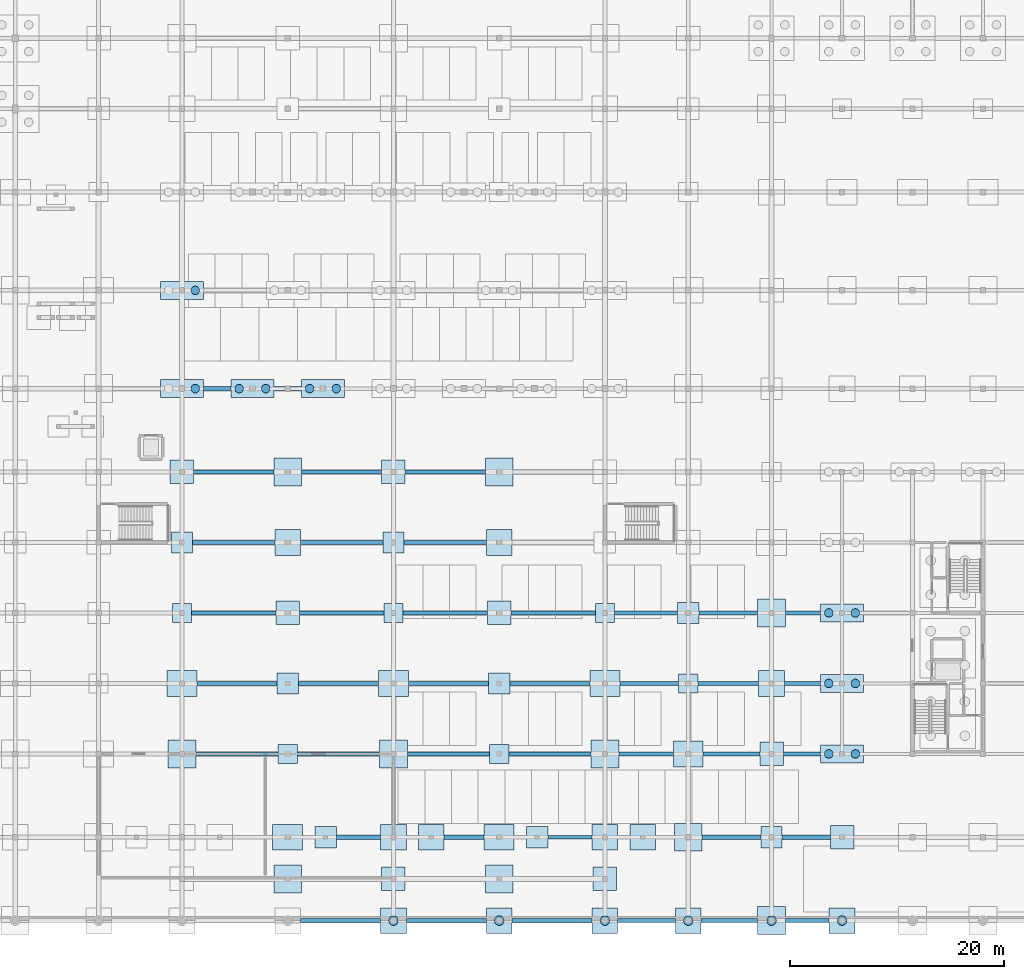
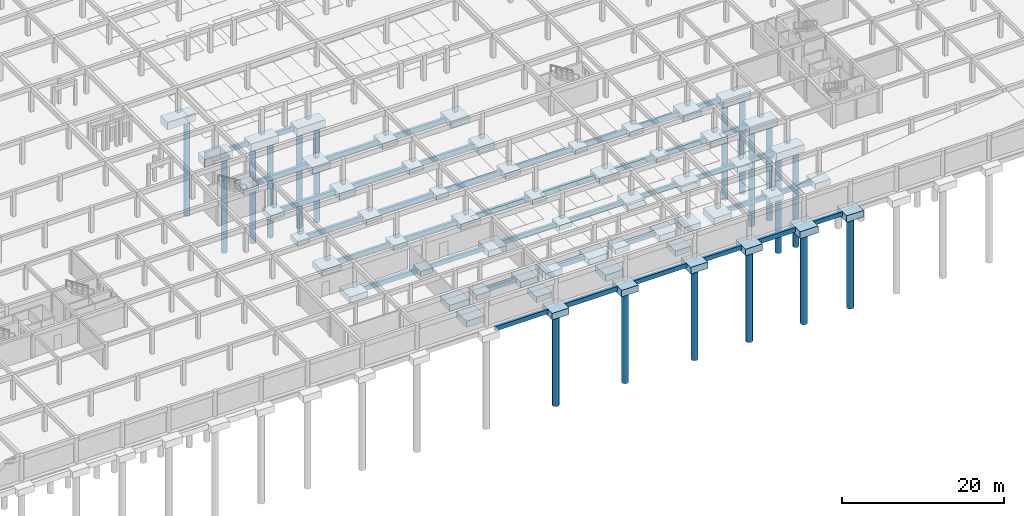
# One storey, part 3 of 37: 97 footings, 18 piles.
"""IFC4 building model written with IfcOpenShell, lengths in metres."""

import ifcopenshell
import ifcopenshell.guid

model = None  # the IFC model being written
_history = None  # IfcOwnerHistory: only IFC2X3 demands one
_inside = {}  # id of a spatial element -> (the spatial element, [elements in it])
_under = {}  # id of a project, library or spatial element -> (it, [spatial elements below it])
_declared = {}  # id of a project -> (the project, [libraries it declares])
_typed = {}  # id of a type object -> (the type object, [elements of that type])
_made_of = {}  # id of a material, layer set ... -> (it, [elements and type objects made of it])


def new_model(schema):
    """Start an empty IFC model of exactly this schema.

    Asked for "IFC4X3", IfcOpenShell would pick the latest addendum, in which some entities
    have other attributes; the version numbers below select the first issue.
    IFC2X3 requires an IfcOwnerHistory on every rooted entity: one is made here for all.
    """
    global model, _history
    if schema == "IFC4X3":
        model = ifcopenshell.file(schema_version=(4, 3, 0, 0))
    else:
        model = ifcopenshell.file(schema=schema)
    _inside.clear()
    _under.clear()
    _declared.clear()
    _typed.clear()
    _made_of.clear()
    _history = None
    if model.schema == "IFC2X3":
        org = make("IfcOrganization", Name="unknown")
        user = make(
            "IfcPersonAndOrganization",
            ThePerson=make("IfcPerson", FamilyName="unknown"),
            TheOrganization=org,
        )
        app = make(
            "IfcApplication",
            ApplicationDeveloper=org,
            Version="unknown",
            ApplicationFullName="unknown",
            ApplicationIdentifier="unknown",
        )
        _history = make(
            "IfcOwnerHistory",
            OwningUser=user,
            OwningApplication=app,
            ChangeAction="ADDED",
            CreationDate=0,
        )
    return model


def make(cls, **values):
    """One entity of the class cls with the attributes given. An attribute that is None is left unset."""
    return model.create_entity(
        cls, **{name: value for name, value in values.items() if value is not None}
    )


def rooted(cls, **values):
    """An entity with a GlobalId (a new one), such as an element, a storey or a relation."""
    return make(cls, GlobalId=ifcopenshell.guid.new(), OwnerHistory=_history, **values)


def si_unit(unit_type, name, prefix=None):
    """IfcSIUnit, for example si_unit("LENGTHUNIT", "METRE", prefix="MILLI")."""
    return make("IfcSIUnit", UnitType=unit_type, Prefix=prefix, Name=name)


def assignment(units):
    """IfcUnitAssignment: the units of a project."""
    return None if units is None else make("IfcUnitAssignment", Units=units)


def point(xyz):
    """IfcCartesianPoint."""
    return None if xyz is None else make("IfcCartesianPoint", Coordinates=xyz)


def direction(xyz):
    """IfcDirection."""
    return None if xyz is None else make("IfcDirection", DirectionRatios=xyz)


def frame(location, z_axis=None, x_axis=None):
    """IfcAxis2Placement3D, a coordinate frame: its origin and axes. An axis left out is left unset."""
    return make(
        "IfcAxis2Placement3D",
        Location=point(location),
        Axis=direction(z_axis),
        RefDirection=direction(x_axis),
    )


def frame_2d(location, x_axis=None):
    """IfcAxis2Placement2D, a coordinate frame in the plane: its origin and x axis."""
    return make(
        "IfcAxis2Placement2D", Location=point(location), RefDirection=direction(x_axis)
    )


def origin():
    """The frame at (0, 0, 0) with its axes left unset."""
    return frame((0.0, 0.0, 0.0))


def origin_2d():
    """The frame at (0, 0) in the plane with its x axis left unset."""
    return frame_2d((0.0, 0.0))


def place(relative_to, where):
    """IfcLocalPlacement: puts the frame where relative to a parent placement (None: the world)."""
    return make(
        "IfcLocalPlacement", PlacementRelTo=relative_to, RelativePlacement=where
    )


def context(
    kind, dimensions, precision=None, world=None, true_north=None, identifier=None
):
    """IfcGeometricRepresentationContext, for example the 3D "Model" context."""
    return make(
        "IfcGeometricRepresentationContext",
        ContextIdentifier=identifier,
        ContextType=kind,
        CoordinateSpaceDimension=dimensions,
        Precision=precision,
        WorldCoordinateSystem=world,
        TrueNorth=true_north,
    )


def subcontext(parent, identifier, kind, view, scale=None):
    """IfcGeometricRepresentationSubContext, for example "Body" below "Model"."""
    return make(
        "IfcGeometricRepresentationSubContext",
        ContextIdentifier=identifier,
        ContextType=kind,
        ParentContext=parent,
        TargetScale=scale,
        TargetView=view,
    )


def project(units=None, contexts=None):
    """IfcProject with its units and contexts."""
    return rooted(
        "IfcProject",
        Name="project",
        RepresentationContexts=contexts,
        UnitsInContext=assignment(units),
    )


def spatial(cls, under=None, at=None, **own):
    """A site, building, storey or space (cls), placed at a placement, below another one or the project."""
    s = rooted(cls, ObjectPlacement=at, **own)
    if under is not None:
        _under.setdefault(under.id(), (under, []))[1].append(s)
    return s


def profile(cls, at=None, kind="AREA", **sizes):
    """A parametric profile (cls). Its sizes go by their IFC names, for example OverallWidth=200.0."""
    return make(cls, ProfileType=kind, Position=at, **sizes)


def rectangle(**sizes):
    """IfcRectangleProfileDef."""
    return profile("IfcRectangleProfileDef", **sizes)


def circle(**sizes):
    """IfcCircleProfileDef."""
    return profile("IfcCircleProfileDef", **sizes)


def extrude(swept, where, along, depth):
    """IfcExtrudedAreaSolid: the profile swept, set in the frame where, extruded along a direction by depth."""
    return make(
        "IfcExtrudedAreaSolid",
        SweptArea=swept,
        Position=where,
        ExtrudedDirection=direction(along),
        Depth=depth,
    )


def shape(context_of_items, identifier, shape_type, items):
    """IfcShapeRepresentation: the items that make up one representation, for example the "Body"."""
    return make(
        "IfcShapeRepresentation",
        ContextOfItems=context_of_items,
        RepresentationIdentifier=identifier,
        RepresentationType=shape_type,
        Items=items,
    )


def material(Name=None, Category=None):
    """IfcMaterial."""
    return make("IfcMaterial", Name=Name, Category=Category)


def material_profile(
    of_material, cross_section, Name=None, Category=None, Priority=None
):
    """IfcMaterialProfile: a cross section and its material."""
    return make(
        "IfcMaterialProfile",
        Name=Name,
        Material=of_material,
        Profile=cross_section,
        Priority=Priority,
        Category=Category,
    )


def profile_set(profiles, Name=None, composite=None):
    """IfcMaterialProfileSet."""
    return make(
        "IfcMaterialProfileSet",
        Name=Name,
        MaterialProfiles=profiles,
        CompositeProfile=composite,
    )


def made_of(thing, what):
    """Note that an element or type object is made of a material, layer set ...; save() writes the relation."""
    if what is not None:
        _made_of.setdefault(what.id(), (what, []))[1].append(thing)
    return thing


def type_object(cls, material=None, **own):
    """A type object (cls), such as IfcWallType, which elements share."""
    return made_of(rooted(cls, **own), material)


def element(
    cls,
    number,
    at=None,
    inside=None,
    cuts=None,
    type_object=None,
    material=None,
    context=None,
    identifier="Body",
    shape_type=None,
    held_by="IfcProductDefinitionShape",
    body=None,
    shapes=None,
    **own,
):
    """One element of the class cls, such as IfcWall. Its Tag is "e" and its number.

    at: its placement. inside: the storey or other place that contains it. cuts: it is an
    opening in that element (IfcRelVoidsElement). A single representation is given by context,
    identifier, shape_type and body (its items); several are given by shapes. held_by: the class
    of the entity that holds the representations. save() writes the other relations.
    """
    e = rooted(cls, Tag="e%d" % number, ObjectPlacement=at, **own)
    if body is not None:
        shapes = [shape(context, identifier, shape_type, body)]
    if shapes is not None:
        e.Representation = make(held_by, Representations=shapes)
    if inside is not None:
        _inside.setdefault(inside.id(), (inside, []))[1].append(e)
    if cuts is not None:
        rooted(
            "IfcRelVoidsElement", RelatingBuildingElement=cuts, RelatedOpeningElement=e
        )
    if type_object is not None:
        _typed.setdefault(type_object.id(), (type_object, []))[1].append(e)
    return made_of(e, material)


def aggregate(whole, parts):
    """IfcRelAggregates: a whole, such as a stair, and the parts it consists of."""
    return rooted("IfcRelAggregates", RelatingObject=whole, RelatedObjects=parts)


def save(model, path):
    """Write the relations noted so far, then the file.

    IfcRelAggregates (storeys below a building ...), IfcRelContainedInSpatialStructure (elements
    in a storey), IfcRelDefinesByType, IfcRelAssociatesMaterial and IfcRelDeclares: one each for
    every whole, place, type object, material and project.
    """
    for whole, parts in _under.values():
        aggregate(whole, parts)
    for where, things in _inside.values():
        rooted(
            "IfcRelContainedInSpatialStructure",
            RelatedElements=things,
            RelatingStructure=where,
        )
    for kind, things in _typed.values():
        rooted("IfcRelDefinesByType", RelatedObjects=things, RelatingType=kind)
    for what, things in _made_of.values():
        rooted("IfcRelAssociatesMaterial", RelatedObjects=things, RelatingMaterial=what)
    for by, libraries in _declared.values():
        rooted("IfcRelDeclares", RelatingContext=by, RelatedDefinitions=libraries)
    model.write(path)


model = new_model("IFC4")

# Units and contexts
model_context = context("Model", 3, precision=1e-05, world=origin(), true_north=direction((0.0, 1.0)))
body_context = subcontext(model_context, "Body", "Model", "MODEL_VIEW")
ifc_project = project(units=[si_unit("LENGTHUNIT", "METRE"), si_unit("AREAUNIT", "SQUARE_METRE"), si_unit("VOLUMEUNIT", "CUBIC_METRE"), si_unit("PLANEANGLEUNIT", "RADIAN"), si_unit("MASSUNIT", "GRAM", prefix="KILO")], contexts=[model_context])

# Site, building, storey
site_placement = place(None, origin())
site = spatial("IfcSite", under=ifc_project, at=site_placement, CompositionType="ELEMENT")
building_placement = place(site_placement, origin())
building = spatial("IfcBuilding", under=site, at=building_placement, Name="Kernevlak Ridge Housing Community", CompositionType="ELEMENT")
storey_placement = place(building_placement, frame((0.0, 0.0, -3.800048828125)))
storey = spatial("IfcBuildingStorey", under=building, at=storey_placement, Name="B1", CompositionType="ELEMENT", Elevation=-3.800048828125)

# Piles
ifc_material = material(Name="Concrete C35/45", Category="concrete")
ifc_material_profile_1 = material_profile(ifc_material, circle(Radius=0.39990234375, at=origin_2d()), Name="BORED PILE 800")
ifc_profile_set_1 = profile_set([ifc_material_profile_1], Name="Concrete C35/45")
pile_type_1 = type_object("IfcPileType", Name="BP-01", PredefinedType="BORED", material=ifc_profile_set_1)
for number, where, z_axis, x_axis, name in (
    (1, (65.449951171875, 49.800048828125, -1.5), (0.0, 0.0, -1.0), (1.0, 0.0, 0.0), "Bored pile BP-01 PILE-0172"),
    (2, (65.449951171875, 59.0, -1.5), (0.0, 0.0, -1.0), (1.0, 0.0, 0.0), "Bored pile BP-01 PILE-0174"),
    (3, (69.550048828125, 49.800048828125, -1.5), (0.0, 0.0, -1.0), (1.0, 0.0, 0.0), "Bored pile BP-01 PILE-0178"),
    (4, (72.050048828125, 49.800048828125, -1.5), (0.0, 0.0, -1.0), (1.0, 0.0, 0.0), "Bored pile BP-01 PILE-0179"),
    (5, (76.14990234375, 49.800048828125, -1.5), (0.0, 0.0, -1.0), (1.0, 0.0, 0.0), "Bored pile BP-01 PILE-0186"),
    (6, (78.64990234375, 49.800048828125, -1.5), (0.0, 0.0, -1.0), (1.0, 0.0, 0.0), "Bored pile BP-01 PILE-0187"),
    (7, (124.75, 15.60009765625, -1.5), (0.0, 0.0, -1.0), (1.0, 0.0, 0.0), "Bored pile BP-01 PILE-0231"),
    (8, (127.25, 15.60009765625, -1.5), (0.0, 0.0, -1.0), (1.0, 0.0, 0.0), "Bored pile BP-01 PILE-0232"),
    (9, (124.75, 22.199951171875, -1.5), (0.0, 0.0, -1.0), (1.0, 0.0, 0.0), "Bored pile BP-01 PILE-0233"),
    (10, (127.25, 22.199951171875, -1.5), (0.0, 0.0, -1.0), (1.0, 0.0, 0.0), "Bored pile BP-01 PILE-0234"),
    (11, (124.75, 28.800048828125, -1.5), (0.0, 0.0, -1.0), (1.0, 0.0, 0.0), "Bored pile BP-01 PILE-0235"),
    (12, (127.25, 28.800048828125, -1.5), (0.0, 0.0, -1.0), (1.0, 0.0, 0.0), "Bored pile BP-01 PILE-0236"),
):
    element("IfcPile", number, at=place(storey_placement, frame(where, z_axis=z_axis, x_axis=x_axis)), inside=storey, type_object=pile_type_1, Name=name, PredefinedType="BORED", context=body_context, shape_type="SweptSolid", body=[
        extrude(circle(Radius=0.39990234375, at=origin_2d()), origin(), (0.0, 0.0, 1.0), 14.5),
    ])
ifc_material_profile_2 = material_profile(ifc_material, circle(Radius=0.449951171875, at=origin_2d()), Name="BORED PILE 900")
ifc_profile_set_2 = profile_set([ifc_material_profile_2], Name="Concrete C35/45")
pile_type_2 = type_object("IfcPileType", Name="BP-02", PredefinedType="BORED", material=ifc_profile_set_2)
for number, where, z_axis, x_axis, name in (
    (13, (84.0, 0.0, -1.349853515625), (0.0, 0.0, -1.0), (1.0, 0.0, 0.0), "Bored pile BP-02 PILE-0190"),
    (14, (93.89990234375, 0.0, -1.349853515625), (0.0, 0.0, -1.0), (1.0, 0.0, 0.0), "Bored pile BP-02 PILE-0202"),
    (15, (103.800048828125, 0.0, -1.349853515625), (0.0, 0.0, -1.0), (1.0, 0.0, 0.0), "Bored pile BP-02 PILE-0210"),
    (16, (111.60009765625, 0.0, -1.349853515625), (0.0, 0.0, -1.0), (1.0, 0.0, 0.0), "Bored pile BP-02 PILE-0218"),
    (17, (119.39990234375, 0.0, -1.39990234375), (0.0, 0.0, -1.0), (1.0, 0.0, 0.0), "Bored pile BP-02 PILE-0220"),
    (18, (126.0, 0.0, -1.349853515625), (0.0, 0.0, -1.0), (1.0, 0.0, 0.0), "Bored pile BP-02 PILE-0230"),
):
    element("IfcPile", number, at=place(storey_placement, frame(where, z_axis=z_axis, x_axis=x_axis)), inside=storey, type_object=pile_type_2, Name=name, PredefinedType="BORED", context=body_context, shape_type="SweptSolid", body=[
        extrude(circle(Radius=0.449951171875, at=origin_2d()), origin(), (0.0, 0.0, 1.0), 14.0),
    ])

# Footings
ifc_material_profile_3 = material_profile(ifc_material, rectangle(XDim=0.39990234375, YDim=0.699951171875, at=origin_2d()), Name="RC 400x700")
ifc_profile_set_3 = profile_set([ifc_material_profile_3], Name="Concrete C35/45")
footing_type_1 = type_object("IfcFootingType", Name="FB-01", PredefinedType="FOOTING_BEAM", material=ifc_profile_set_3)
footing_1_placement = place(storey_placement, frame((85.199951171875, 0.0, -0.800048828125), z_axis=(1.0, 0.0, 0.0), x_axis=(0.0, 1.0, 0.0)))
element("IfcFooting", 19, at=footing_1_placement, inside=storey, type_object=footing_type_1, Name="Ground tie beam FB-01 12", PredefinedType="FOOTING_BEAM", context=body_context, shape_type="SweptSolid", body=[
    extrude(rectangle(XDim=0.39990234375, YDim=0.699951171875, at=origin_2d()), origin(), (0.0, 0.0, 1.0), 7.5),
])
footing_2_placement = place(storey_placement, frame((112.800048828125, 0.0, -0.800048828125), z_axis=(1.0, 0.0, 0.0), x_axis=(0.0, 1.0, 0.0)))
element("IfcFooting", 20, at=footing_2_placement, inside=storey, type_object=footing_type_1, Name="Ground tie beam FB-01 15", PredefinedType="FOOTING_BEAM", context=body_context, shape_type="SweptSolid", body=[
    extrude(rectangle(XDim=0.39990234375, YDim=0.699951171875, at=origin_2d()), origin(), (0.0, 0.0, 1.0), 5.300048828125),
])
footing_3_placement = place(storey_placement, frame((88.75, 7.800048828125, -0.800048828125), z_axis=(1.0, 0.0, 0.0), x_axis=(0.0, 1.0, 0.0)))
element("IfcFooting", 21, at=footing_3_placement, inside=storey, type_object=footing_type_1, Name="Ground tie beam FB-01 33", PredefinedType="FOOTING_BEAM", context=body_context, shape_type="SweptSolid", body=[
    extrude(rectangle(XDim=0.39990234375, YDim=0.699951171875, at=origin_2d()), origin(), (0.0, 0.0, 1.0), 3.75),
])
footing_4_placement = place(storey_placement, frame((120.39990234375, 7.800048828125, -0.800048828125), z_axis=(1.0, 0.0, 0.0), x_axis=(0.0, 1.0, 0.0)))
element("IfcFooting", 22, at=footing_4_placement, inside=storey, type_object=footing_type_1, Name="Ground tie beam FB-01 36", PredefinedType="FOOTING_BEAM", context=body_context, shape_type="SweptSolid", body=[
    extrude(rectangle(XDim=0.39990234375, YDim=0.699951171875, at=origin_2d()), origin(), (0.0, 0.0, 1.0), 4.5),
])
for number, where, z_axis, x_axis, name in (
    (23, (65.5, 15.60009765625, -0.800048828125), (1.0, 0.0, 0.0), (0.0, 1.0, 0.0), "Ground tie beam FB-01 51"),
    (24, (94.800048828125, 15.60009765625, -0.800048828125), (1.0, 0.0, 0.0), (0.0, 1.0, 0.0), "Ground tie beam FB-01 54"),
):
    element("IfcFooting", number, at=place(storey_placement, frame(where, z_axis=z_axis, x_axis=x_axis)), inside=storey, type_object=footing_type_1, Name=name, PredefinedType="FOOTING_BEAM", context=body_context, shape_type="SweptSolid", body=[
        extrude(rectangle(XDim=0.39990234375, YDim=0.699951171875, at=origin_2d()), origin(), (0.0, 0.0, 1.0), 7.699951171875),
    ])
footing_5_placement = place(storey_placement, frame((120.5, 15.60009765625, -0.800048828125), z_axis=(1.0, 0.0, 0.0), x_axis=(0.0, 1.0, 0.0)))
element("IfcFooting", 25, at=footing_5_placement, inside=storey, type_object=footing_type_1, Name="Ground tie beam FB-01 57", PredefinedType="FOOTING_BEAM", context=body_context, shape_type="SweptSolid", body=[
    extrude(rectangle(XDim=0.39990234375, YDim=0.699951171875, at=origin_2d()), origin(), (0.0, 0.0, 1.0), 3.5),
])
footing_6_placement = place(storey_placement, frame((85.39990234375, 22.199951171875, -0.800048828125), z_axis=(1.0, 0.0, 0.0), x_axis=(0.0, 1.0, 0.0)))
element("IfcFooting", 26, at=footing_6_placement, inside=storey, type_object=footing_type_1, Name="Ground tie beam FB-01 66", PredefinedType="FOOTING_BEAM", context=body_context, shape_type="SweptSolid", body=[
    extrude(rectangle(XDim=0.39990234375, YDim=0.699951171875, at=origin_2d()), origin(), (0.0, 0.0, 1.0), 7.5),
])
footing_7_placement = place(storey_placement, frame((112.5, 22.199951171875, -0.800048828125), z_axis=(1.0, 0.0, 0.0), x_axis=(0.0, 1.0, 0.0)))
element("IfcFooting", 27, at=footing_7_placement, inside=storey, type_object=footing_type_1, Name="Ground tie beam FB-01 69", PredefinedType="FOOTING_BEAM", context=body_context, shape_type="SweptSolid", body=[
    extrude(rectangle(XDim=0.39990234375, YDim=0.699951171875, at=origin_2d()), origin(), (0.0, 0.0, 1.0), 5.699951171875),
])
footing_8_placement = place(storey_placement, frame((75.199951171875, 28.800048828125, -0.800048828125), z_axis=(1.0, 0.0, 0.0), x_axis=(0.0, 1.0, 0.0)))
element("IfcFooting", 28, at=footing_8_placement, inside=storey, type_object=footing_type_1, Name="Ground tie beam FB-01 78", PredefinedType="FOOTING_BEAM", context=body_context, shape_type="SweptSolid", body=[
    extrude(rectangle(XDim=0.39990234375, YDim=0.699951171875, at=origin_2d()), origin(), (0.0, 0.0, 1.0), 7.900146484375),
])
footing_9_placement = place(storey_placement, frame((104.699951171875, 28.800048828125, -0.800048828125), z_axis=(1.0, 0.0, 0.0), x_axis=(0.0, 1.0, 0.0)))
element("IfcFooting", 29, at=footing_9_placement, inside=storey, type_object=footing_type_1, Name="Ground tie beam FB-01 81", PredefinedType="FOOTING_BEAM", context=body_context, shape_type="SweptSolid", body=[
    extrude(rectangle(XDim=0.39990234375, YDim=0.699951171875, at=origin_2d()), origin(), (0.0, 0.0, 1.0), 5.900146484375),
])
footing_10_placement = place(storey_placement, frame((75.300048828125, 35.39990234375, -0.800048828125), z_axis=(1.0, 0.0, 0.0), x_axis=(0.0, 1.0, 0.0)))
element("IfcFooting", 30, at=footing_10_placement, inside=storey, type_object=footing_type_1, Name="Ground tie beam FB-01 96", PredefinedType="FOOTING_BEAM", context=body_context, shape_type="SweptSolid", body=[
    extrude(rectangle(XDim=0.39990234375, YDim=0.699951171875, at=origin_2d()), origin(), (0.0, 0.0, 1.0), 7.699951171875),
])
footing_11_placement = place(storey_placement, frame((75.39990234375, 42.0, -0.800048828125), z_axis=(1.0, 0.0, 0.0), x_axis=(0.0, 1.0, 0.0)))
element("IfcFooting", 31, at=footing_11_placement, inside=storey, type_object=footing_type_1, Name="Ground tie beam FB-01 114", PredefinedType="FOOTING_BEAM", context=body_context, shape_type="SweptSolid", body=[
    extrude(rectangle(XDim=0.39990234375, YDim=0.699951171875, at=origin_2d()), origin(), (0.0, 0.0, 1.0), 7.5),
])
footing_12_placement = place(storey_placement, frame((72.800048828125, 49.800048828125, -0.800048828125), z_axis=(1.0, 0.0, 0.0), x_axis=(0.0, 1.0, 0.0)))
element("IfcFooting", 32, at=footing_12_placement, inside=storey, type_object=footing_type_1, Name="Ground tie beam FB-01 135", PredefinedType="FOOTING_BEAM", context=body_context, shape_type="SweptSolid", body=[
    extrude(rectangle(XDim=0.39990234375, YDim=0.699951171875, at=origin_2d()), origin(), (0.0, 0.0, 1.0), 2.599853515625),
])
ifc_material_profile_4 = material_profile(ifc_material, rectangle(XDim=0.35009765625, YDim=0.64990234375, at=origin_2d()), Name="RC 350x650")
ifc_profile_set_4 = profile_set([ifc_material_profile_4], Name="Concrete C35/45")
footing_type_2 = type_object("IfcFootingType", Name="FB-02", PredefinedType="FOOTING_BEAM", material=ifc_profile_set_4)
footing_13_placement = place(storey_placement, frame((95.10009765625, 0.0, -0.77490234375), z_axis=(1.0, 0.0, 0.0), x_axis=(0.0, 1.0, 0.0)))
element("IfcFooting", 33, at=footing_13_placement, inside=storey, type_object=footing_type_2, Name="Ground tie beam FB-02 13", PredefinedType="FOOTING_BEAM", context=body_context, shape_type="SweptSolid", body=[
    extrude(rectangle(XDim=0.35009765625, YDim=0.64990234375, at=origin_2d()), origin(), (0.0, 0.0, 1.0), 7.5),
])
footing_14_placement = place(storey_placement, frame((120.699951171875, 0.0, -0.77490234375), z_axis=(1.0, 0.0, 0.0), x_axis=(0.0, 1.0, 0.0)))
element("IfcFooting", 34, at=footing_14_placement, inside=storey, type_object=footing_type_2, Name="Ground tie beam FB-02 16", PredefinedType="FOOTING_BEAM", context=body_context, shape_type="SweptSolid", body=[
    extrude(rectangle(XDim=0.35009765625, YDim=0.64990234375, at=origin_2d()), origin(), (0.0, 0.0, 1.0), 4.10009765625),
])
footing_15_placement = place(storey_placement, frame((98.449951171875, 7.800048828125, -0.77490234375), z_axis=(1.0, 0.0, 0.0), x_axis=(0.0, 1.0, 0.0)))
element("IfcFooting", 35, at=footing_15_placement, inside=storey, type_object=footing_type_2, Name="Ground tie beam FB-02 34", PredefinedType="FOOTING_BEAM", context=body_context, shape_type="SweptSolid", body=[
    extrude(rectangle(XDim=0.35009765625, YDim=0.64990234375, at=origin_2d()), origin(), (0.0, 0.0, 1.0), 4.150146484375),
])
footing_16_placement = place(storey_placement, frame((75.0, 15.60009765625, -0.77490234375), z_axis=(1.0, 0.0, 0.0), x_axis=(0.0, 1.0, 0.0)))
element("IfcFooting", 36, at=footing_16_placement, inside=storey, type_object=footing_type_2, Name="Ground tie beam FB-02 52", PredefinedType="FOOTING_BEAM", context=body_context, shape_type="SweptSolid", body=[
    extrude(rectangle(XDim=0.35009765625, YDim=0.64990234375, at=origin_2d()), origin(), (0.0, 0.0, 1.0), 7.699951171875),
])
footing_17_placement = place(storey_placement, frame((105.10009765625, 15.60009765625, -0.77490234375), z_axis=(1.0, 0.0, 0.0), x_axis=(0.0, 1.0, 0.0)))
element("IfcFooting", 37, at=footing_17_placement, inside=storey, type_object=footing_type_2, Name="Ground tie beam FB-02 55", PredefinedType="FOOTING_BEAM", context=body_context, shape_type="SweptSolid", body=[
    extrude(rectangle(XDim=0.35009765625, YDim=0.64990234375, at=origin_2d()), origin(), (0.0, 0.0, 1.0), 5.099853515625),
])
for number, where, z_axis, x_axis, name in (
    (38, (65.60009765625, 22.199951171875, -0.77490234375), (1.0, 0.0, 0.0), (0.0, 1.0, 0.0), "Ground tie beam FB-02 64"),
    (39, (94.89990234375, 22.199951171875, -0.77490234375), (1.0, 0.0, 0.0), (0.0, 1.0, 0.0), "Ground tie beam FB-02 67"),
):
    element("IfcFooting", number, at=place(storey_placement, frame(where, z_axis=z_axis, x_axis=x_axis)), inside=storey, type_object=footing_type_2, Name=name, PredefinedType="FOOTING_BEAM", context=body_context, shape_type="SweptSolid", body=[
        extrude(rectangle(XDim=0.35009765625, YDim=0.64990234375, at=origin_2d()), origin(), (0.0, 0.0, 1.0), 7.5),
    ])
footing_18_placement = place(storey_placement, frame((120.60009765625, 22.199951171875, -0.77490234375), z_axis=(1.0, 0.0, 0.0), x_axis=(0.0, 1.0, 0.0)))
element("IfcFooting", 40, at=footing_18_placement, inside=storey, type_object=footing_type_2, Name="Ground tie beam FB-02 70", PredefinedType="FOOTING_BEAM", context=body_context, shape_type="SweptSolid", body=[
    extrude(rectangle(XDim=0.35009765625, YDim=0.64990234375, at=origin_2d()), origin(), (0.0, 0.0, 1.0), 3.39990234375),
])
footing_19_placement = place(storey_placement, frame((84.89990234375, 28.800048828125, -0.77490234375), z_axis=(1.0, 0.0, 0.0), x_axis=(0.0, 1.0, 0.0)))
element("IfcFooting", 41, at=footing_19_placement, inside=storey, type_object=footing_type_2, Name="Ground tie beam FB-02 79", PredefinedType="FOOTING_BEAM", context=body_context, shape_type="SweptSolid", body=[
    extrude(rectangle(XDim=0.35009765625, YDim=0.64990234375, at=origin_2d()), origin(), (0.0, 0.0, 1.0), 7.900146484375),
])
footing_20_placement = place(storey_placement, frame((112.60009765625, 28.800048828125, -0.77490234375), z_axis=(1.0, 0.0, 0.0), x_axis=(0.0, 1.0, 0.0)))
element("IfcFooting", 42, at=footing_20_placement, inside=storey, type_object=footing_type_2, Name="Ground tie beam FB-02 82", PredefinedType="FOOTING_BEAM", context=body_context, shape_type="SweptSolid", body=[
    extrude(rectangle(XDim=0.35009765625, YDim=0.64990234375, at=origin_2d()), origin(), (0.0, 0.0, 1.0), 5.5),
])
footing_21_placement = place(storey_placement, frame((85.0, 35.39990234375, -0.77490234375), z_axis=(1.0, 0.0, 0.0), x_axis=(0.0, 1.0, 0.0)))
element("IfcFooting", 43, at=footing_21_placement, inside=storey, type_object=footing_type_2, Name="Ground tie beam FB-02 97", PredefinedType="FOOTING_BEAM", context=body_context, shape_type="SweptSolid", body=[
    extrude(rectangle(XDim=0.35009765625, YDim=0.64990234375, at=origin_2d()), origin(), (0.0, 0.0, 1.0), 7.699951171875),
])
footing_22_placement = place(storey_placement, frame((85.10009765625, 42.0, -0.77490234375), z_axis=(1.0, 0.0, 0.0), x_axis=(0.0, 1.0, 0.0)))
element("IfcFooting", 44, at=footing_22_placement, inside=storey, type_object=footing_type_2, Name="Ground tie beam FB-02 115", PredefinedType="FOOTING_BEAM", context=body_context, shape_type="SweptSolid", body=[
    extrude(rectangle(XDim=0.35009765625, YDim=0.64990234375, at=origin_2d()), origin(), (0.0, 0.0, 1.0), 7.5),
])
ifc_material_profile_5 = material_profile(ifc_material, rectangle(XDim=0.39990234375, YDim=0.64990234375, at=origin_2d()), Name="RC 400x650")
ifc_profile_set_5 = profile_set([ifc_material_profile_5], Name="Concrete C35/45")
footing_type_3 = type_object("IfcFootingType", Name="FB-03", PredefinedType="FOOTING_BEAM", material=ifc_profile_set_5)
footing_23_placement = place(storey_placement, frame((75.300048828125, 0.0, -0.77490234375), z_axis=(1.0, 0.0, 0.0), x_axis=(0.0, 1.0, 0.0)))
element("IfcFooting", 45, at=footing_23_placement, inside=storey, type_object=footing_type_3, Name="Ground tie beam FB-03 11", PredefinedType="FOOTING_BEAM", context=body_context, shape_type="SweptSolid", body=[
    extrude(rectangle(XDim=0.39990234375, YDim=0.64990234375, at=origin_2d()), origin(), (0.0, 0.0, 1.0), 7.5),
])
footing_24_placement = place(storey_placement, frame((105.0, 0.0, -0.77490234375), z_axis=(1.0, 0.0, 0.0), x_axis=(0.0, 1.0, 0.0)))
element("IfcFooting", 46, at=footing_24_placement, inside=storey, type_object=footing_type_3, Name="Ground tie beam FB-03 14", PredefinedType="FOOTING_BEAM", context=body_context, shape_type="SweptSolid", body=[
    extrude(rectangle(XDim=0.39990234375, YDim=0.64990234375, at=origin_2d()), origin(), (0.0, 0.0, 1.0), 5.39990234375),
])
footing_25_placement = place(storey_placement, frame((78.64990234375, 7.800048828125, -0.77490234375), z_axis=(1.0, 0.0, 0.0), x_axis=(0.0, 1.0, 0.0)))
element("IfcFooting", 47, at=footing_25_placement, inside=storey, type_object=footing_type_3, Name="Ground tie beam FB-03 32", PredefinedType="FOOTING_BEAM", context=body_context, shape_type="SweptSolid", body=[
    extrude(rectangle(XDim=0.39990234375, YDim=0.64990234375, at=origin_2d()), origin(), (0.0, 0.0, 1.0), 4.150146484375),
])
footing_26_placement = place(storey_placement, frame((112.89990234375, 7.800048828125, -0.77490234375), z_axis=(1.0, 0.0, 0.0), x_axis=(0.0, 1.0, 0.0)))
element("IfcFooting", 48, at=footing_26_placement, inside=storey, type_object=footing_type_3, Name="Ground tie beam FB-03 35", PredefinedType="FOOTING_BEAM", context=body_context, shape_type="SweptSolid", body=[
    extrude(rectangle(XDim=0.39990234375, YDim=0.64990234375, at=origin_2d()), origin(), (0.0, 0.0, 1.0), 5.5),
])
footing_27_placement = place(storey_placement, frame((85.300048828125, 15.60009765625, -0.77490234375), z_axis=(1.0, 0.0, 0.0), x_axis=(0.0, 1.0, 0.0)))
element("IfcFooting", 49, at=footing_27_placement, inside=storey, type_object=footing_type_3, Name="Ground tie beam FB-03 53", PredefinedType="FOOTING_BEAM", context=body_context, shape_type="SweptSolid", body=[
    extrude(rectangle(XDim=0.39990234375, YDim=0.64990234375, at=origin_2d()), origin(), (0.0, 0.0, 1.0), 7.699951171875),
])
footing_28_placement = place(storey_placement, frame((113.0, 15.60009765625, -0.77490234375), z_axis=(1.0, 0.0, 0.0), x_axis=(0.0, 1.0, 0.0)))
element("IfcFooting", 50, at=footing_28_placement, inside=storey, type_object=footing_type_3, Name="Ground tie beam FB-03 56", PredefinedType="FOOTING_BEAM", context=body_context, shape_type="SweptSolid", body=[
    extrude(rectangle(XDim=0.39990234375, YDim=0.64990234375, at=origin_2d()), origin(), (0.0, 0.0, 1.0), 5.300048828125),
])
footing_29_placement = place(storey_placement, frame((75.10009765625, 22.199951171875, -0.77490234375), z_axis=(1.0, 0.0, 0.0), x_axis=(0.0, 1.0, 0.0)))
element("IfcFooting", 51, at=footing_29_placement, inside=storey, type_object=footing_type_3, Name="Ground tie beam FB-03 65", PredefinedType="FOOTING_BEAM", context=body_context, shape_type="SweptSolid", body=[
    extrude(rectangle(XDim=0.39990234375, YDim=0.64990234375, at=origin_2d()), origin(), (0.0, 0.0, 1.0), 7.5),
])
footing_30_placement = place(storey_placement, frame((105.199951171875, 22.199951171875, -0.77490234375), z_axis=(1.0, 0.0, 0.0), x_axis=(0.0, 1.0, 0.0)))
element("IfcFooting", 52, at=footing_30_placement, inside=storey, type_object=footing_type_3, Name="Ground tie beam FB-03 68", PredefinedType="FOOTING_BEAM", context=body_context, shape_type="SweptSolid", body=[
    extrude(rectangle(XDim=0.39990234375, YDim=0.64990234375, at=origin_2d()), origin(), (0.0, 0.0, 1.0), 5.5),
])
for number, where, z_axis, x_axis, name in (
    (53, (65.10009765625, 28.800048828125, -0.77490234375), (1.0, 0.0, 0.0), (0.0, 1.0, 0.0), "Ground tie beam FB-03 77"),
    (54, (95.0, 28.800048828125, -0.77490234375), (1.0, 0.0, 0.0), (0.0, 1.0, 0.0), "Ground tie beam FB-03 80"),
):
    element("IfcFooting", number, at=place(storey_placement, frame(where, z_axis=z_axis, x_axis=x_axis)), inside=storey, type_object=footing_type_3, Name=name, PredefinedType="FOOTING_BEAM", context=body_context, shape_type="SweptSolid", body=[
        extrude(rectangle(XDim=0.39990234375, YDim=0.64990234375, at=origin_2d()), origin(), (0.0, 0.0, 1.0), 7.89990234375),
    ])
footing_31_placement = place(storey_placement, frame((120.699951171875, 28.800048828125, -0.77490234375), z_axis=(1.0, 0.0, 0.0), x_axis=(0.0, 1.0, 0.0)))
element("IfcFooting", 55, at=footing_31_placement, inside=storey, type_object=footing_type_3, Name="Ground tie beam FB-03 83", PredefinedType="FOOTING_BEAM", context=body_context, shape_type="SweptSolid", body=[
    extrude(rectangle(XDim=0.39990234375, YDim=0.64990234375, at=origin_2d()), origin(), (0.0, 0.0, 1.0), 3.300048828125),
])
footing_32_placement = place(storey_placement, frame((65.199951171875, 35.39990234375, -0.77490234375), z_axis=(1.0, 0.0, 0.0), x_axis=(0.0, 1.0, 0.0)))
element("IfcFooting", 56, at=footing_32_placement, inside=storey, type_object=footing_type_3, Name="Ground tie beam FB-03 95", PredefinedType="FOOTING_BEAM", context=body_context, shape_type="SweptSolid", body=[
    extrude(rectangle(XDim=0.39990234375, YDim=0.64990234375, at=origin_2d()), origin(), (0.0, 0.0, 1.0), 7.699951171875),
])
footing_33_placement = place(storey_placement, frame((65.300048828125, 42.0, -0.77490234375), z_axis=(1.0, 0.0, 0.0), x_axis=(0.0, 1.0, 0.0)))
element("IfcFooting", 57, at=footing_33_placement, inside=storey, type_object=footing_type_3, Name="Ground tie beam FB-03 113", PredefinedType="FOOTING_BEAM", context=body_context, shape_type="SweptSolid", body=[
    extrude(rectangle(XDim=0.39990234375, YDim=0.64990234375, at=origin_2d()), origin(), (0.0, 0.0, 1.0), 7.5),
])
footing_34_placement = place(storey_placement, frame((66.199951171875, 49.800048828125, -0.77490234375), z_axis=(1.0, 0.0, 0.0), x_axis=(0.0, 1.0, 0.0)))
element("IfcFooting", 58, at=footing_34_placement, inside=storey, type_object=footing_type_3, Name="Ground tie beam FB-03 134", PredefinedType="FOOTING_BEAM", context=body_context, shape_type="SweptSolid", body=[
    extrude(rectangle(XDim=0.39990234375, YDim=0.64990234375, at=origin_2d()), origin(), (0.0, 0.0, 1.0), 2.60009765625),
])
footing_type_4 = type_object("IfcFootingType", Name="FC-01", PredefinedType="PILE_CAP", material=ifc_material)
for number, where, z_axis, x_axis, name in (
    (59, (84.0, 0.0, -1.449951171875), (0.0, 0.0, 1.0), (1.0, 0.0, 0.0), "Footing FC-01 FTG-CAP-197"),
    (60, (93.89990234375, 0.0, -1.449951171875), (0.0, 0.0, 1.0), (1.0, 0.0, 0.0), "Footing FC-01 FTG-CAP-218"),
    (61, (103.800048828125, 0.0, -1.449951171875), (0.0, 0.0, 1.0), (1.0, 0.0, 0.0), "Footing FC-01 FTG-CAP-238"),
    (62, (111.60009765625, 0.0, -1.449951171875), (0.0, 0.0, 1.0), (1.0, 0.0, 0.0), "Footing FC-01 FTG-CAP-257"),
    (63, (126.0, 0.0, -1.449951171875), (0.0, 0.0, 1.0), (1.0, 0.0, 0.0), "Footing FC-01 FTG-CAP-289"),
):
    element("IfcFooting", number, at=place(storey_placement, frame(where, z_axis=z_axis, x_axis=x_axis)), inside=storey, type_object=footing_type_4, Name=name, PredefinedType="PILE_CAP", context=body_context, shape_type="SweptSolid", body=[
        extrude(rectangle(XDim=2.39990234375, YDim=2.39990234375, at=origin_2d()), origin(), (0.0, 0.0, 1.0), 1.0),
    ])
footing_type_5 = type_object("IfcFootingType", Name="FC-07", PredefinedType="PILE_CAP", material=ifc_material)
for number, where, z_axis, x_axis, name in (
    (64, (64.199951171875, 49.800048828125, -1.599853515625), (0.0, 0.0, 1.0), (1.0, 0.0, 0.0), "Footing FC-07 FTG-CAP-164"),
    (65, (64.199951171875, 59.0, -1.599853515625), (0.0, 0.0, 1.0), (1.0, 0.0, 0.0), "Footing FC-07 FTG-CAP-165"),
    (66, (70.800048828125, 49.800048828125, -1.599853515625), (0.0, 0.0, 1.0), (1.0, 0.0, 0.0), "Footing FC-07 FTG-CAP-175"),
    (67, (77.39990234375, 49.800048828125, -1.599853515625), (0.0, 0.0, 1.0), (1.0, 0.0, 0.0), "Footing FC-07 FTG-CAP-194"),
    (68, (126.0, 15.60009765625, -1.599853515625), (0.0, 0.0, 1.0), (1.0, 0.0, 0.0), "Footing FC-07 FTG-CAP-291"),
    (69, (126.0, 22.199951171875, -1.599853515625), (0.0, 0.0, 1.0), (1.0, 0.0, 0.0), "Footing FC-07 FTG-CAP-292"),
    (70, (126.0, 28.800048828125, -1.599853515625), (0.0, 0.0, 1.0), (1.0, 0.0, 0.0), "Footing FC-07 FTG-CAP-293"),
):
    element("IfcFooting", number, at=place(storey_placement, frame(where, z_axis=z_axis, x_axis=x_axis)), inside=storey, type_object=footing_type_5, Name=name, PredefinedType="PILE_CAP", context=body_context, shape_type="SweptSolid", body=[
        extrude(rectangle(XDim=4.0, YDim=1.699951171875, at=origin_2d()), origin(), (0.0, 0.0, 1.0), 1.14990234375),
    ])
footing_type_6 = type_object("IfcFootingType", Name="FC-08", PredefinedType="PILE_CAP", material=ifc_material)
footing_35_placement = place(storey_placement, frame((119.39990234375, 0.0, -1.5), z_axis=(0.0, 0.0, 1.0), x_axis=(1.0, 0.0, 0.0)))
element("IfcFooting", 71, at=footing_35_placement, inside=storey, type_object=footing_type_6, Name="Footing FC-08 FTG-CAP-274", PredefinedType="PILE_CAP", context=body_context, shape_type="SweptSolid", body=[
    extrude(rectangle(XDim=2.60009765625, YDim=2.60009765625, at=origin_2d()), origin(), (0.0, 0.0, 1.0), 1.050048828125),
])
footing_type_7 = type_object("IfcFootingType", Name="PF-01", PredefinedType="PAD_FOOTING", material=ifc_material)
for number, where, z_axis, x_axis, name in (
    (72, (64.199951171875, 28.800048828125, -1.199951171875), (0.0, 0.0, 1.0), (1.0, 0.0, 0.0), "Footing PF-01 FTG-CAP-161"),
    (73, (74.10009765625, 15.60009765625, -1.199951171875), (0.0, 0.0, 1.0), (1.0, 0.0, 0.0), "Footing PF-01 FTG-CAP-180"),
    (74, (84.0, 28.800048828125, -1.199951171875), (0.0, 0.0, 1.0), (1.0, 0.0, 0.0), "Footing PF-01 FTG-CAP-202"),
    (75, (93.89990234375, 15.60009765625, -1.199951171875), (0.0, 0.0, 1.0), (1.0, 0.0, 0.0), "Footing PF-01 FTG-CAP-221"),
    (76, (103.800048828125, 28.800048828125, -1.199951171875), (0.0, 0.0, 1.0), (1.0, 0.0, 0.0), "Footing PF-01 FTG-CAP-243"),
    (77, (111.60009765625, 22.199951171875, -1.199951171875), (0.0, 0.0, 1.0), (1.0, 0.0, 0.0), "Footing PF-01 FTG-CAP-260"),
):
    element("IfcFooting", number, at=place(storey_placement, frame(where, z_axis=z_axis, x_axis=x_axis)), inside=storey, type_object=footing_type_7, Name=name, PredefinedType="PAD_FOOTING", context=body_context, shape_type="SweptSolid", body=[
        extrude(rectangle(XDim=1.800048828125, YDim=1.800048828125, at=origin_2d()), origin(), (0.0, 0.0, 1.0), 0.75),
    ])
footing_type_8 = type_object("IfcFootingType", Name="PF-02", PredefinedType="PAD_FOOTING", material=ifc_material)
for number, where, z_axis, x_axis, name in (
    (78, (64.199951171875, 35.39990234375, -1.25), (0.0, 0.0, 1.0), (1.0, 0.0, 0.0), "Footing PF-02 FTG-CAP-162"),
    (79, (74.10009765625, 22.199951171875, -1.25), (0.0, 0.0, 1.0), (1.0, 0.0, 0.0), "Footing PF-02 FTG-CAP-181"),
    (80, (77.64990234375, 7.800048828125, -1.25), (0.0, 0.0, 1.0), (1.0, 0.0, 0.0), "Footing PF-02 FTG-CAP-196"),
    (81, (84.0, 35.39990234375, -1.25), (0.0, 0.0, 1.0), (1.0, 0.0, 0.0), "Footing PF-02 FTG-CAP-203"),
    (82, (93.89990234375, 22.199951171875, -1.25), (0.0, 0.0, 1.0), (1.0, 0.0, 0.0), "Footing PF-02 FTG-CAP-222"),
    (83, (97.449951171875, 7.800048828125, -1.25), (0.0, 0.0, 1.0), (1.0, 0.0, 0.0), "Footing PF-02 FTG-CAP-237"),
    (84, (111.60009765625, 28.800048828125, -1.25), (0.0, 0.0, 1.0), (1.0, 0.0, 0.0), "Footing PF-02 FTG-CAP-261"),
    (85, (119.39990234375, 7.800048828125, -1.25), (0.0, 0.0, 1.0), (1.0, 0.0, 0.0), "Footing PF-02 FTG-CAP-275"),
):
    element("IfcFooting", number, at=place(storey_placement, frame(where, z_axis=z_axis, x_axis=x_axis)), inside=storey, type_object=footing_type_8, Name=name, PredefinedType="PAD_FOOTING", context=body_context, shape_type="SweptSolid", body=[
        extrude(rectangle(XDim=2.0, YDim=2.0, at=origin_2d()), origin(), (0.0, 0.0, 1.0), 0.800048828125),
    ])
footing_type_9 = type_object("IfcFootingType", Name="PF-03", PredefinedType="PAD_FOOTING", material=ifc_material)
for number, where, z_axis, x_axis, name in (
    (86, (64.199951171875, 42.0, -1.300048828125), (0.0, 0.0, 1.0), (1.0, 0.0, 0.0), "Footing PF-03 FTG-CAP-163"),
    (87, (74.10009765625, 28.800048828125, -1.300048828125), (0.0, 0.0, 1.0), (1.0, 0.0, 0.0), "Footing PF-03 FTG-CAP-182"),
    (88, (84.0, 3.89990234375, -1.300048828125), (0.0, 0.0, 1.0), (1.0, 0.0, 0.0), "Footing PF-03 FTG-CAP-198"),
    (89, (84.0, 42.0, -1.300048828125), (0.0, 0.0, 1.0), (1.0, 0.0, 0.0), "Footing PF-03 FTG-CAP-204"),
    (90, (93.89990234375, 28.800048828125, -1.300048828125), (0.0, 0.0, 1.0), (1.0, 0.0, 0.0), "Footing PF-03 FTG-CAP-223"),
    (91, (103.800048828125, 3.89990234375, -1.300048828125), (0.0, 0.0, 1.0), (1.0, 0.0, 0.0), "Footing PF-03 FTG-CAP-239"),
    (92, (119.39990234375, 15.60009765625, -1.300048828125), (0.0, 0.0, 1.0), (1.0, 0.0, 0.0), "Footing PF-03 FTG-CAP-276"),
    (93, (126.0, 7.800048828125, -1.300048828125), (0.0, 0.0, 1.0), (1.0, 0.0, 0.0), "Footing PF-03 FTG-CAP-290"),
):
    element("IfcFooting", number, at=place(storey_placement, frame(where, z_axis=z_axis, x_axis=x_axis)), inside=storey, type_object=footing_type_9, Name=name, PredefinedType="PAD_FOOTING", context=body_context, shape_type="SweptSolid", body=[
        extrude(rectangle(XDim=2.199951171875, YDim=2.199951171875, at=origin_2d()), origin(), (0.0, 0.0, 1.0), 0.85009765625),
    ])
footing_type_10 = type_object("IfcFootingType", Name="PF-04", PredefinedType="PAD_FOOTING", material=ifc_material)
for number, where, z_axis, x_axis, name in (
    (94, (74.10009765625, 35.39990234375, -1.349853515625), (0.0, 0.0, 1.0), (1.0, 0.0, 0.0), "Footing PF-04 FTG-CAP-183"),
    (95, (84.0, 7.800048828125, -1.349853515625), (0.0, 0.0, 1.0), (1.0, 0.0, 0.0), "Footing PF-04 FTG-CAP-199"),
    (96, (87.550048828125, 7.800048828125, -1.349853515625), (0.0, 0.0, 1.0), (1.0, 0.0, 0.0), "Footing PF-04 FTG-CAP-215"),
    (97, (93.89990234375, 35.39990234375, -1.349853515625), (0.0, 0.0, 1.0), (1.0, 0.0, 0.0), "Footing PF-04 FTG-CAP-224"),
    (98, (103.800048828125, 7.800048828125, -1.349853515625), (0.0, 0.0, 1.0), (1.0, 0.0, 0.0), "Footing PF-04 FTG-CAP-240"),
    (99, (107.35009765625, 7.800048828125, -1.349853515625), (0.0, 0.0, 1.0), (1.0, 0.0, 0.0), "Footing PF-04 FTG-CAP-256"),
    (100, (119.39990234375, 22.199951171875, -1.349853515625), (0.0, 0.0, 1.0), (1.0, 0.0, 0.0), "Footing PF-04 FTG-CAP-277"),
):
    element("IfcFooting", number, at=place(storey_placement, frame(where, z_axis=z_axis, x_axis=x_axis)), inside=storey, type_object=footing_type_10, Name=name, PredefinedType="PAD_FOOTING", context=body_context, shape_type="SweptSolid", body=[
        extrude(rectangle(XDim=2.39990234375, YDim=2.39990234375, at=origin_2d()), origin(), (0.0, 0.0, 1.0), 0.89990234375),
    ])
footing_type_11 = type_object("IfcFootingType", Name="PF-05", PredefinedType="PAD_FOOTING", material=ifc_material)
for number, where, z_axis, x_axis, name in (
    (101, (64.199951171875, 15.60009765625, -1.39990234375), (0.0, 0.0, 1.0), (1.0, 0.0, 0.0), "Footing PF-05 FTG-CAP-159"),
    (102, (74.10009765625, 3.89990234375, -1.39990234375), (0.0, 0.0, 1.0), (1.0, 0.0, 0.0), "Footing PF-05 FTG-CAP-178"),
    (103, (74.10009765625, 42.0, -1.39990234375), (0.0, 0.0, 1.0), (1.0, 0.0, 0.0), "Footing PF-05 FTG-CAP-184"),
    (104, (84.0, 15.60009765625, -1.39990234375), (0.0, 0.0, 1.0), (1.0, 0.0, 0.0), "Footing PF-05 FTG-CAP-200"),
    (105, (93.89990234375, 3.89990234375, -1.39990234375), (0.0, 0.0, 1.0), (1.0, 0.0, 0.0), "Footing PF-05 FTG-CAP-219"),
    (106, (93.89990234375, 42.0, -1.39990234375), (0.0, 0.0, 1.0), (1.0, 0.0, 0.0), "Footing PF-05 FTG-CAP-225"),
    (107, (103.800048828125, 15.60009765625, -1.39990234375), (0.0, 0.0, 1.0), (1.0, 0.0, 0.0), "Footing PF-05 FTG-CAP-241"),
    (108, (111.60009765625, 7.800048828125, -1.39990234375), (0.0, 0.0, 1.0), (1.0, 0.0, 0.0), "Footing PF-05 FTG-CAP-258"),
    (109, (119.39990234375, 28.800048828125, -1.39990234375), (0.0, 0.0, 1.0), (1.0, 0.0, 0.0), "Footing PF-05 FTG-CAP-278"),
):
    element("IfcFooting", number, at=place(storey_placement, frame(where, z_axis=z_axis, x_axis=x_axis)), inside=storey, type_object=footing_type_11, Name=name, PredefinedType="PAD_FOOTING", context=body_context, shape_type="SweptSolid", body=[
        extrude(rectangle(XDim=2.60009765625, YDim=2.60009765625, at=origin_2d()), origin(), (0.0, 0.0, 1.0), 0.949951171875),
    ])
footing_type_12 = type_object("IfcFootingType", Name="PF-06", PredefinedType="PAD_FOOTING", material=ifc_material)
for number, where, z_axis, x_axis, name in (
    (110, (64.199951171875, 22.199951171875, -1.349853515625), (0.0, 0.0, 1.0), (1.0, 0.0, 0.0), "Footing PF-06 FTG-CAP-160"),
    (111, (74.10009765625, 7.800048828125, -1.349853515625), (0.0, 0.0, 1.0), (1.0, 0.0, 0.0), "Footing PF-06 FTG-CAP-179"),
    (112, (84.0, 22.199951171875, -1.349853515625), (0.0, 0.0, 1.0), (1.0, 0.0, 0.0), "Footing PF-06 FTG-CAP-201"),
    (113, (93.89990234375, 7.800048828125, -1.349853515625), (0.0, 0.0, 1.0), (1.0, 0.0, 0.0), "Footing PF-06 FTG-CAP-220"),
    (114, (103.800048828125, 22.199951171875, -1.349853515625), (0.0, 0.0, 1.0), (1.0, 0.0, 0.0), "Footing PF-06 FTG-CAP-242"),
    (115, (111.60009765625, 15.60009765625, -1.349853515625), (0.0, 0.0, 1.0), (1.0, 0.0, 0.0), "Footing PF-06 FTG-CAP-259"),
):
    element("IfcFooting", number, at=place(storey_placement, frame(where, z_axis=z_axis, x_axis=x_axis)), inside=storey, type_object=footing_type_12, Name=name, PredefinedType="PAD_FOOTING", context=body_context, shape_type="SweptSolid", body=[
        extrude(rectangle(XDim=2.800048828125, YDim=2.39990234375, at=origin_2d()), origin(), (0.0, 0.0, 1.0), 0.89990234375),
    ])

save(model, "model.ifc")
